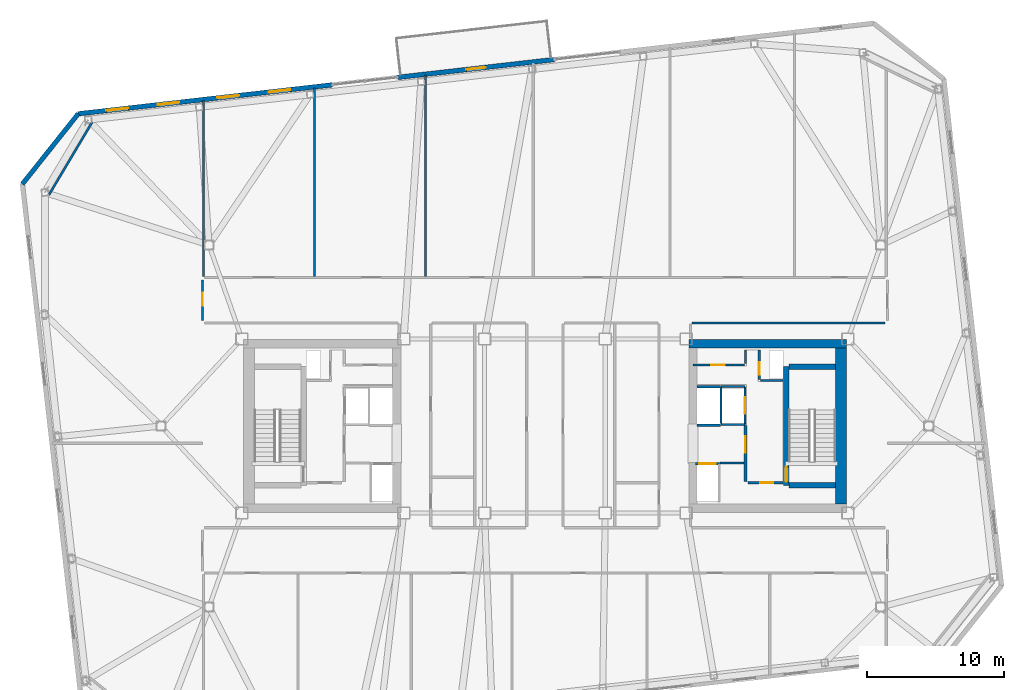
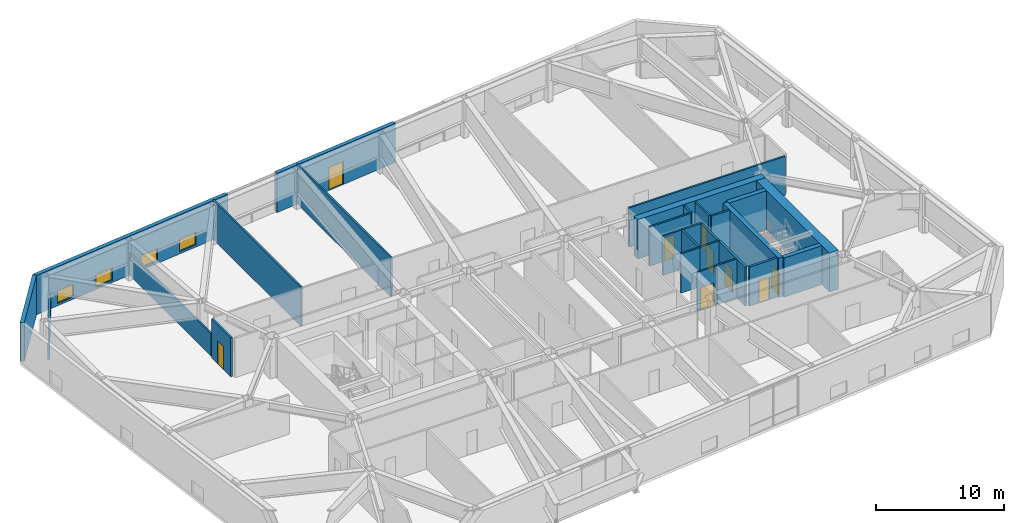
# One storey, part 14 of 20: 28 walls, 9 doors, 4 windows, 13 openings.
"""IFC4 building model written with IfcOpenShell, lengths in metres."""

from ifc_helpers import new_model, si_unit, direction, frame, frame_2d, origin, place, context, subcontext, project, spatial, rectangle, extrude, material, layer, layer_set, type_object, element, fill, save


model = new_model("IFC4")

# Units and contexts
model_context = context("Model", 3, precision=1e-05, world=origin(), true_north=direction((0.0, 1.0)))
body_context = subcontext(model_context, "Body", "Model", "MODEL_VIEW")
ifc_project = project(units=[si_unit("LENGTHUNIT", "METRE"), si_unit("AREAUNIT", "SQUARE_METRE"), si_unit("VOLUMEUNIT", "CUBIC_METRE"), si_unit("PLANEANGLEUNIT", "RADIAN"), si_unit("MASSUNIT", "GRAM", prefix="KILO")], contexts=[model_context])

# Site, building, storey
site_placement = place(None, origin())
site = spatial("IfcSite", under=ifc_project, at=site_placement, CompositionType="ELEMENT")
building_placement = place(site_placement, origin())
building = spatial("IfcBuilding", under=site, at=building_placement, Name="Tavrogorsk Clinical Tower", CompositionType="ELEMENT")
storey_placement = place(building_placement, frame((0.0, 0.0, 214.199951171875)))
storey = spatial("IfcBuildingStorey", under=building, at=storey_placement, Name="L49", CompositionType="ELEMENT", Elevation=214.199951171875)

# Wall, opening, door
ifc_material_1 = material(Name="Concrete B60", Category="concrete")
ifc_layer_1 = layer(ifc_material_1, 0.199951171875)
ifc_layer_set_1 = layer_set([ifc_layer_1], Name="Concrete B60")
wall_type_1 = type_object("IfcWallType", Name="CoreFireWall_200", PredefinedType="SOLIDWALL", material=ifc_layer_set_1)
wall_1_placement = place(storey_placement, frame((14.824951171875, -4.139892578125, 0.0), z_axis=(0.0, 0.0, 1.0), x_axis=(1.0, 0.0, 0.0)))
wall_1 = element("IfcWall", 1, at=wall_1_placement, inside=storey, type_object=wall_type_1, Name="L49 Core East South Core Room Fire Wall", PredefinedType="SOLIDWALL", context=body_context, shape_type="SweptSolid", body=[
    extrude(rectangle(XDim=2.554931640625, YDim=0.199951171875, at=frame_2d((1.27734375, 0.0))), origin(), (0.0, 0.0, 1.0), 3.739990234375),
])
opening_1_placement = place(wall_1_placement, frame((0.8798828125, 0.0, 0.0)))
opening_1 = element("IfcOpeningElement", 2, at=opening_1_placement, cuts=wall_1, Name="Opening ID-02", PredefinedType="OPENING", context=body_context, shape_type="SweptSolid", body=[
    extrude(rectangle(XDim=0.949951171875, YDim=2.199951171875, at=frame_2d((0.47509765625, 1.10009765625))), frame((0.0, 0.10986328125, 0.0), z_axis=(0.0, -1.0, 0.0), x_axis=(1.0, 0.0, 0.0)), (0.0, 0.0, 1.0), 0.219970703125),
])
ifc_material_2 = material(Name="Laminated timber leaf on aluminium frame", Category="wood")
door_type_1 = type_object("IfcDoorType", Name="InteriorDoor_ID02_950", OperationType="NOTDEFINED", PredefinedType="DOOR", material=ifc_material_2)
door_1_placement = place(opening_1_placement, origin())
door_1 = element("IfcDoor", 3, at=door_1_placement, inside=storey, type_object=door_type_1, Name="L49 Core East South Core Room Door", OperationType="SINGLE_SWING_RIGHT", OverallHeight=2.199951171875, OverallWidth=0.949951171875, PredefinedType="DOOR", context=body_context, shape_type="SweptSolid", body=[
    extrude(rectangle(XDim=0.949951171875, YDim=2.199951171875, at=frame_2d((0.47509765625, 1.10009765625))), frame((0.0, 0.02490234375, 0.0), z_axis=(0.0, -1.0, 0.0), x_axis=(1.0, 0.0, 0.0)), (0.0, 0.0, 1.0), 0.050048828125),
])
fill(opening_1, door_1)

wall_2_placement = place(storey_placement, frame((14.639892578125, -4.034912109375, 0.0), z_axis=(0.0, 0.0, 1.0), x_axis=(0.0, 1.0, 0.0)))
wall_2 = element("IfcWall", 4, at=wall_2_placement, inside=storey, type_object=wall_type_1, Name="L49 Core East Firefighting Lobby Fire Wall", PredefinedType="SOLIDWALL", context=body_context, shape_type="SweptSolid", body=[
    extrude(rectangle(XDim=4.074951171875, YDim=0.199951171875, at=frame_2d((2.03759765625, 0.0))), origin(), (0.0, 0.0, 1.0), 3.739990234375),
])
opening_2_placement = place(wall_2_placement, frame((2.090087890625, 0.0, 0.0)))
opening_2 = element("IfcOpeningElement", 5, at=opening_2_placement, cuts=wall_2, Name="Opening FD-01", PredefinedType="OPENING", context=body_context, shape_type="SweptSolid", body=[
    extrude(rectangle(XDim=1.199951171875, YDim=2.199951171875, at=frame_2d((0.60009765625, 1.10009765625))), frame((0.0, 0.10986328125, 0.0), z_axis=(0.0, -1.0, 0.0), x_axis=(1.0, 0.0, 0.0)), (0.0, 0.0, 1.0), 0.219970703125),
])
ifc_material_3 = material(Name="Galvanised steel fire-rated door assembly", Category="steel")
door_type_2 = type_object("IfcDoorType", Name="FireDoor_FD01_1200", OperationType="NOTDEFINED", PredefinedType="DOOR", material=ifc_material_3)
door_2_placement = place(opening_2_placement, origin())
door_2 = element("IfcDoor", 6, at=door_2_placement, inside=storey, type_object=door_type_2, Name="L49 Core East Firefighting Lobby Entry Door", OperationType="SINGLE_SWING_RIGHT", OverallHeight=2.199951171875, OverallWidth=1.199951171875, PredefinedType="DOOR", context=body_context, shape_type="SweptSolid", body=[
    extrude(rectangle(XDim=1.199951171875, YDim=2.199951171875, at=frame_2d((0.60009765625, 1.10009765625))), frame((0.0, 0.02490234375, 0.0), z_axis=(0.0, -1.0, 0.0), x_axis=(1.0, 0.0, 0.0)), (0.0, 0.0, 1.0), 0.050048828125),
])
fill(opening_2, door_2)

# Wall
ifc_material_4 = material(Name="Lightweight concrete blockwork B15", Category="masonry")
ifc_layer_2 = layer(ifc_material_4, 0.159912109375)
ifc_layer_set_2 = layer_set([ifc_layer_2], Name="Lightweight concrete blockwork B15")
wall_type_2 = type_object("IfcWallType", Name="PartitionWall_160", PredefinedType="PARTITIONING", material=ifc_layer_set_2)
wall_3_placement = place(storey_placement, frame((12.77490234375, -2.699951171875, 0.0), z_axis=(0.0, 0.0, 1.0), x_axis=(1.0, 0.0, 0.0)))
element("IfcWall", 7, at=wall_3_placement, inside=storey, type_object=wall_type_2, Name="L49 Core East Freed Low-Bank North Partition", PredefinedType="PARTITIONING", context=body_context, shape_type="SweptSolid", body=[
    extrude(rectangle(XDim=1.760009765625, YDim=0.159912109375, at=frame_2d((0.8798828125, 0.0))), origin(), (0.0, 0.0, 1.0), 3.739990234375),
])

# Wall, opening, door
wall_4_placement = place(storey_placement, frame((10.800048828125, 4.4599609375, 0.0), z_axis=(0.0, 0.0, 1.0), x_axis=(1.0, 0.0, 0.0)))
wall_4 = element("IfcWall", 8, at=wall_4_placement, inside=storey, type_object=wall_type_2, Name="L49 Core East Pneumatic Dispatch South Wall", PredefinedType="PARTITIONING", context=body_context, shape_type="SweptSolid", body=[
    extrude(rectangle(XDim=3.7548828125, YDim=0.159912109375, at=frame_2d((1.87744140625, 0.0))), origin(), (0.0, 0.0, 1.0), 3.739990234375),
])
opening_3_placement = place(wall_4_placement, frame((1.35009765625, 0.0, 0.0)))
opening_3 = element("IfcOpeningElement", 9, at=opening_3_placement, cuts=wall_4, Name="Opening ID-02", PredefinedType="OPENING", context=body_context, shape_type="SweptSolid", body=[
    extrude(rectangle(XDim=0.949951171875, YDim=2.199951171875, at=frame_2d((0.47509765625, 1.10009765625))), frame((0.0, 0.08984375, 0.0), z_axis=(0.0, -1.0, 0.0), x_axis=(1.0, 0.0, 0.0)), (0.0, 0.0, 1.0), 0.179931640625),
])
door_3_placement = place(opening_3_placement, origin())
door_3 = element("IfcDoor", 10, at=door_3_placement, inside=storey, type_object=door_type_1, Name="L49 Core East Pneumatic Dispatch Door", OperationType="SINGLE_SWING_LEFT", OverallHeight=2.199951171875, OverallWidth=0.949951171875, PredefinedType="DOOR", context=body_context, shape_type="SweptSolid", body=[
    extrude(rectangle(XDim=0.949951171875, YDim=2.199951171875, at=frame_2d((0.47509765625, 1.10009765625))), frame((0.0, 0.02490234375, 0.0), z_axis=(0.0, -1.0, 0.0), x_axis=(1.0, 0.0, 0.0)), (0.0, 0.0, 1.0), 0.050048828125),
])
fill(opening_3, door_3)

# Walls
wall_5_placement = place(storey_placement, frame((14.639892578125, 4.544921875, 0.0), z_axis=(0.0, 0.0, 1.0), x_axis=(0.0, 1.0, 0.0)))
element("IfcWall", 11, at=wall_5_placement, inside=storey, type_object=wall_type_2, Name="L49 Core East Pneumatic Dispatch East Wall", PredefinedType="PARTITIONING", context=body_context, shape_type="SweptSolid", body=[
    extrude(rectangle(XDim=1.01513671875, YDim=0.159912109375, at=frame_2d((0.507568359375, 0.0))), origin(), (0.0, 0.0, 1.0), 3.739990234375),
])
wall_6_placement = place(storey_placement, frame((-33.016357421875, 22.17138671875, 0.0), z_axis=(0.0, 0.0, 1.0), x_axis=(-0.511385266265, -0.859351563359, 0.0)))
element("IfcWall", 12, at=wall_6_placement, inside=storey, type_object=wall_type_2, Name="L49 Corner Exoskeleton Brace Furring Wall 3", PredefinedType="PARTITIONING", context=body_context, shape_type="SweptSolid", body=[
    extrude(rectangle(XDim=6.181884765625, YDim=0.159912109375, at=frame_2d((3.0908203125, 0.0))), origin(), (0.0, 0.0, 1.0), 1.53515625),
])

# Wall, opening, door
wall_7_placement = place(storey_placement, frame((-24.97998046875, 7.68505859375, 0.0), z_axis=(0.0, 0.0, 1.0), x_axis=(0.0, 1.0, 0.0)))
wall_7 = element("IfcWall", 13, at=wall_7_placement, inside=storey, type_object=wall_type_2, Name="L49 Corridor Partition 06", PredefinedType="PARTITIONING", context=body_context, shape_type="SweptSolid", body=[
    extrude(rectangle(XDim=2.97998046875, YDim=0.159912109375, at=frame_2d((1.489990234375, 0.0))), origin(), (0.0, 0.0, 1.0), 3.739990234375),
])
opening_4_placement = place(wall_7_placement, frame((1.10009765625, 0.0, 0.0)))
opening_4 = element("IfcOpeningElement", 14, at=opening_4_placement, cuts=wall_7, Name="Opening ID-02", PredefinedType="OPENING", context=body_context, shape_type="SweptSolid", body=[
    extrude(rectangle(XDim=0.949951171875, YDim=2.199951171875, at=frame_2d((0.47509765625, 1.10009765625))), frame((0.0, 0.08984375, 0.0), z_axis=(0.0, -1.0, 0.0), x_axis=(1.0, 0.0, 0.0)), (0.0, 0.0, 1.0), 0.179931640625),
])
door_4_placement = place(opening_4_placement, origin())
door_4 = element("IfcDoor", 15, at=door_4_placement, inside=storey, type_object=door_type_1, Name="L49 W Rehabilitation Therapy Suite 2 Door", OperationType="SINGLE_SWING_RIGHT", OverallHeight=2.199951171875, OverallWidth=0.949951171875, PredefinedType="DOOR", context=body_context, shape_type="SweptSolid", body=[
    extrude(rectangle(XDim=0.949951171875, YDim=2.199951171875, at=frame_2d((0.47509765625, 1.10009765625))), frame((0.0, 0.02490234375, 0.0), z_axis=(0.0, -1.0, 0.0), x_axis=(1.0, 0.0, 0.0)), (0.0, 0.0, 1.0), 0.050048828125),
])
fill(opening_4, door_4)

# Walls
wall_8_placement = place(storey_placement, frame((24.81494140625, 7.52001953125, 0.0), z_axis=(0.0, 0.0, 1.0), x_axis=(-1.0, 0.0, 0.0)))
element("IfcWall", 16, at=wall_8_placement, inside=storey, type_object=wall_type_2, Name="L49 Corridor Partition 09", PredefinedType="PARTITIONING", context=body_context, shape_type="SweptSolid", body=[
    extrude(rectangle(XDim=14.099853515625, YDim=0.159912109375, at=frame_2d((7.0498046875, 0.0))), origin(), (0.0, 0.0, 1.0), 3.739990234375),
])
wall_9_placement = place(storey_placement, frame((-24.89990234375, 10.9150390625, 0.0), z_axis=(0.0, 0.0, 1.0), x_axis=(0.0, 1.0, 0.0)))
element("IfcWall", 17, at=wall_9_placement, inside=storey, type_object=wall_type_2, Name="L49 NW Wing Closure Partition", PredefinedType="PARTITIONING", context=body_context, shape_type="SweptSolid", body=[
    extrude(rectangle(XDim=12.831298828125, YDim=0.159912109375, at=frame_2d((6.41552734375, 0.0))), origin(), (0.0, 0.0, 1.0), 2.135009765625),
])
wall_10_placement = place(storey_placement, frame((-16.800048828125, 10.9150390625, 0.0), z_axis=(0.0, 0.0, 1.0), x_axis=(0.0, 1.0, 0.0)))
element("IfcWall", 18, at=wall_10_placement, inside=storey, type_object=wall_type_2, Name="L49 North Room Partition 1", PredefinedType="PARTITIONING", context=body_context, shape_type="SweptSolid", body=[
    extrude(rectangle(XDim=13.754150390625, YDim=0.159912109375, at=frame_2d((6.876953125, 0.0))), origin(), (0.0, 0.0, 1.0), 3.739990234375),
])
wall_11_placement = place(storey_placement, frame((-8.699951171875, 10.9150390625, 0.0), z_axis=(0.0, 0.0, 1.0), x_axis=(0.0, 1.0, 0.0)))
element("IfcWall", 19, at=wall_11_placement, inside=storey, type_object=wall_type_2, Name="L49 North Room Partition 2", PredefinedType="PARTITIONING", context=body_context, shape_type="SweptSolid", body=[
    extrude(rectangle(XDim=14.677001953125, YDim=0.159912109375, at=frame_2d((7.33837890625, 0.0))), origin(), (0.0, 0.0, 1.0), 3.739990234375),
])

# Wall, opening, door
ifc_material_5 = material(Name="Precast concrete B45 with limestone cladding", Category="masonry")
ifc_layer_3 = layer(ifc_material_5, 0.340087890625)
ifc_layer_set_3 = layer_set([ifc_layer_3], Name="Precast concrete B45 with limestone cladding")
wall_type_3 = type_object("IfcWallType", Name="PrecastLimestoneWall_340", PredefinedType="STANDARD", material=ifc_layer_set_3)
wall_12_placement = place(storey_placement, frame((0.681884765625, 26.7314453125, 0.0), z_axis=(0.0, 0.0, 1.0), x_axis=(-0.993571968199, -0.113202226169, 0.0)))
wall_12 = element("IfcWall", 20, at=wall_12_placement, inside=storey, type_object=wall_type_3, Name="L49 N Limestone Facade Wall 2", PredefinedType="STANDARD", context=body_context, shape_type="SweptSolid", body=[
    extrude(rectangle(XDim=11.497314453125, YDim=0.340087890625, at=frame_2d((5.74853515625, 0.0))), origin(), (0.0, 0.0, 1.0), 3.739990234375),
])
opening_5_placement = place(wall_12_placement, frame((5.048583984375, 0.0, 0.0)))
opening_5 = element("IfcOpeningElement", 21, at=opening_5_placement, cuts=wall_12, Name="Opening ED-03", PredefinedType="OPENING", context=body_context, shape_type="SweptSolid", body=[
    extrude(rectangle(XDim=1.39990234375, YDim=2.199951171875, at=frame_2d((0.699951171875, 1.10009765625))), frame((0.0, 0.179931640625, 0.0), z_axis=(0.0, -1.0, 0.0), x_axis=(1.0, 0.0, 0.0)), (0.0, 0.0, 1.0), 0.360107421875),
])
ifc_material_6 = material(Name="Thermally broken aluminium and laminated safety glass", Category="aluminium")
door_type_3 = type_object("IfcDoorType", Name="TerraceGlassDoor_ED03_1400", OperationType="DOUBLE_SWING_LEFT", PredefinedType="DOOR", material=ifc_material_6)
door_5_placement = place(opening_5_placement, origin())
door_5 = element("IfcDoor", 22, at=door_5_placement, inside=storey, type_object=door_type_3, Name="L49 Spiralling Recuperation Terrace Door ED-03", OperationType="DOUBLE_SWING_LEFT", OverallHeight=2.199951171875, OverallWidth=1.39990234375, PredefinedType="DOOR", context=body_context, shape_type="SweptSolid", body=[
    extrude(rectangle(XDim=1.39990234375, YDim=2.199951171875, at=frame_2d((0.699951171875, 1.10009765625))), frame((0.0, 0.02490234375, 0.0), z_axis=(0.0, -1.0, 0.0), x_axis=(1.0, 0.0, 0.0)), (0.0, 0.0, 1.0), 0.050048828125),
])
fill(opening_5, door_5)

# Wall, openings, windows
wall_13_placement = place(storey_placement, frame((-15.510498046875, 24.886474609375, 0.0), z_axis=(0.0, 0.0, 1.0), x_axis=(-0.993572271362, -0.113199565282, 0.0)))
wall_13 = element("IfcWall", 23, at=wall_13_placement, inside=storey, type_object=wall_type_3, Name="L49 N Limestone Facade Wall 3", PredefinedType="STANDARD", context=body_context, shape_type="SweptSolid", body=[
    extrude(rectangle(XDim=18.6513671875, YDim=0.340087890625, at=frame_2d((9.32568359375, 0.0))), origin(), (0.0, 0.0, 1.0), 3.739990234375),
])
opening_6_placement = place(wall_13_placement, frame((14.97119140625, 0.0, 0.219970703125)))
opening_6 = element("IfcOpeningElement", 24, at=opening_6_placement, cuts=wall_13, Name="Opening WN-09", PredefinedType="OPENING", context=body_context, shape_type="SweptSolid", body=[
    extrude(rectangle(XDim=1.60009765625, YDim=1.199951171875, at=frame_2d((0.800048828125, 0.60009765625))), frame((0.0, 0.179931640625, 0.0), z_axis=(0.0, -1.0, 0.0), x_axis=(1.0, 0.0, 0.0)), (0.0, 0.0, 1.0), 0.360107421875),
])
opening_7_placement = place(wall_13_placement, frame((11.222900390625, 0.0, 0.219970703125)))
opening_7 = element("IfcOpeningElement", 25, at=opening_7_placement, cuts=wall_13, Name="Opening WN-09", PredefinedType="OPENING", context=body_context, shape_type="SweptSolid", body=[
    extrude(rectangle(XDim=1.60009765625, YDim=1.199951171875, at=frame_2d((0.800048828125, 0.60009765625))), frame((0.0, 0.179931640625, 0.0), z_axis=(0.0, -1.0, 0.0), x_axis=(1.0, 0.0, 0.0)), (0.0, 0.0, 1.0), 0.360107421875),
])
opening_8_placement = place(wall_13_placement, frame((6.82275390625, 0.0, 0.219970703125)))
opening_8 = element("IfcOpeningElement", 26, at=opening_8_placement, cuts=wall_13, Name="Opening WN-09", PredefinedType="OPENING", context=body_context, shape_type="SweptSolid", body=[
    extrude(rectangle(XDim=1.60009765625, YDim=1.199951171875, at=frame_2d((0.800048828125, 0.60009765625))), frame((0.0, 0.179931640625, 0.0), z_axis=(0.0, -1.0, 0.0), x_axis=(1.0, 0.0, 0.0)), (0.0, 0.0, 1.0), 0.360107421875),
])
opening_9_placement = place(wall_13_placement, frame((3.074462890625, 0.0, 0.219970703125)))
opening_9 = element("IfcOpeningElement", 27, at=opening_9_placement, cuts=wall_13, Name="Opening WN-09", PredefinedType="OPENING", context=body_context, shape_type="SweptSolid", body=[
    extrude(rectangle(XDim=1.60009765625, YDim=1.199951171875, at=frame_2d((0.800048828125, 0.60009765625))), frame((0.0, 0.179931640625, 0.0), z_axis=(0.0, -1.0, 0.0), x_axis=(1.0, 0.0, 0.0)), (0.0, 0.0, 1.0), 0.360107421875),
])
ifc_material_7 = material(Name="Thermally broken aluminium frame and triple IGU", Category="aluminium")
window_type = type_object("IfcWindowType", Name="LowHeadTransWin_1600x1200", PartitioningType="DOUBLE_PANEL_VERTICAL", PredefinedType="WINDOW", material=ifc_material_7)
window_1_placement = place(opening_6_placement, origin())
window_1 = element("IfcWindow", 28, at=window_1_placement, inside=storey, type_object=window_type, Name="L49 N Chicago Window 01", OverallHeight=1.199951171875, OverallWidth=1.60009765625, PartitioningType="SINGLE_PANEL", PredefinedType="WINDOW", context=body_context, shape_type="SweptSolid", body=[
    extrude(rectangle(XDim=1.60009765625, YDim=1.199951171875, at=frame_2d((0.800048828125, 0.60009765625))), frame((0.0, 0.030029296875, 0.0), z_axis=(0.0, -1.0, 0.0), x_axis=(1.0, 0.0, 0.0)), (0.0, 0.0, 1.0), 0.06005859375),
])
fill(opening_6, window_1)
window_2_placement = place(opening_7_placement, origin())
window_2 = element("IfcWindow", 29, at=window_2_placement, inside=storey, type_object=window_type, Name="L49 N Chicago Window 02", OverallHeight=1.199951171875, OverallWidth=1.60009765625, PartitioningType="SINGLE_PANEL", PredefinedType="WINDOW", context=body_context, shape_type="SweptSolid", body=[
    extrude(rectangle(XDim=1.60009765625, YDim=1.199951171875, at=frame_2d((0.800048828125, 0.60009765625))), frame((0.0, 0.030029296875, 0.0), z_axis=(0.0, -1.0, 0.0), x_axis=(1.0, 0.0, 0.0)), (0.0, 0.0, 1.0), 0.06005859375),
])
fill(opening_7, window_2)
window_3_placement = place(opening_8_placement, origin())
window_3 = element("IfcWindow", 30, at=window_3_placement, inside=storey, type_object=window_type, Name="L49 N Chicago Window 03", OverallHeight=1.199951171875, OverallWidth=1.60009765625, PartitioningType="SINGLE_PANEL", PredefinedType="WINDOW", context=body_context, shape_type="SweptSolid", body=[
    extrude(rectangle(XDim=1.60009765625, YDim=1.199951171875, at=frame_2d((0.800048828125, 0.60009765625))), frame((0.0, 0.030029296875, 0.0), z_axis=(0.0, -1.0, 0.0), x_axis=(1.0, 0.0, 0.0)), (0.0, 0.0, 1.0), 0.06005859375),
])
fill(opening_8, window_3)
window_4_placement = place(opening_9_placement, origin())
window_4 = element("IfcWindow", 31, at=window_4_placement, inside=storey, type_object=window_type, Name="L49 N Chicago Window 04", OverallHeight=1.199951171875, OverallWidth=1.60009765625, PartitioningType="SINGLE_PANEL", PredefinedType="WINDOW", context=body_context, shape_type="SweptSolid", body=[
    extrude(rectangle(XDim=1.60009765625, YDim=1.199951171875, at=frame_2d((0.800048828125, 0.60009765625))), frame((0.0, 0.030029296875, 0.0), z_axis=(0.0, -1.0, 0.0), x_axis=(1.0, 0.0, 0.0)), (0.0, 0.0, 1.0), 0.06005859375),
])
fill(opening_9, window_4)

# Wall
wall_14_placement = place(storey_placement, frame((-34.0419921875, 22.775146484375, 0.0), z_axis=(0.0, 0.0, 1.0), x_axis=(-0.62252823689, -0.78259733853, 0.0)))
element("IfcWall", 32, at=wall_14_placement, inside=storey, type_object=wall_type_3, Name="L49 Chamfered Corner Wall 3", PredefinedType="STANDARD", context=body_context, shape_type="SweptSolid", body=[
    extrude(rectangle(XDim=6.5478515625, YDim=0.340087890625, at=frame_2d((3.27392578125, 0.0))), origin(), (0.0, 0.0, 1.0), 3.739990234375),
])

# Wall, opening, door
ifc_material_8 = material(Name="Lightweight concrete blockwork B25", Category="masonry")
ifc_layer_4 = layer(ifc_material_8, 0.159912109375)
ifc_layer_set_4 = layer_set([ifc_layer_4], Name="Lightweight concrete blockwork B25")
wall_type_4 = type_object("IfcWallType", Name="ShaftWall_160", PredefinedType="PARTITIONING", material=ifc_layer_set_4)
wall_15_placement = place(storey_placement, frame((14.60009765625, 0.1201171875, 0.0), z_axis=(0.0, 0.0, 1.0), x_axis=(0.0, 1.0, 0.0)))
wall_15 = element("IfcWall", 33, at=wall_15_placement, inside=storey, type_object=wall_type_4, Name="L49 FFL-E Firefighting Lift Front Wall", PredefinedType="PARTITIONING", context=body_context, shape_type="SweptSolid", body=[
    extrude(rectangle(XDim=2.739990234375, YDim=0.159912109375, at=frame_2d((1.3701171875, 0.0))), origin(), (0.0, 0.0, 1.0), 3.739990234375),
])
opening_10_placement = place(wall_15_placement, frame((0.77001953125, 0.0, 0.0)))
opening_10 = element("IfcOpeningElement", 34, at=opening_10_placement, cuts=wall_15, Name="Opening LD", PredefinedType="OPENING", context=body_context, shape_type="SweptSolid", body=[
    extrude(rectangle(XDim=1.199951171875, YDim=2.199951171875, at=frame_2d((0.60009765625, 1.10009765625))), frame((0.0, 0.08984375, 0.0), z_axis=(0.0, -1.0, 0.0), x_axis=(1.0, 0.0, 0.0)), (0.0, 0.0, 1.0), 0.179931640625),
])
ifc_material_9 = material(Name="Brushed stainless steel AISI 304 sliding doors", Category="steel")
door_type_4 = type_object("IfcDoorType", Name="LiftLandingDoor_LD_1200", OperationType="SLIDING_TO_LEFT", PredefinedType="DOOR", material=ifc_material_9)
door_6_placement = place(opening_10_placement, origin())
door_6 = element("IfcDoor", 35, at=door_6_placement, inside=storey, type_object=door_type_4, Name="L49 FFL-E Sliding Lift Landing Door", OperationType="SLIDING_TO_LEFT", OverallHeight=2.199951171875, OverallWidth=1.199951171875, PredefinedType="DOOR", context=body_context, shape_type="SweptSolid", body=[
    extrude(rectangle(XDim=1.199951171875, YDim=2.199951171875, at=frame_2d((0.60009765625, 1.10009765625))), frame((0.0, 0.02490234375, 0.0), z_axis=(0.0, -1.0, 0.0), x_axis=(1.0, 0.0, 0.0)), (0.0, 0.0, 1.0), 0.050048828125),
])
fill(opening_10, door_6)

# Walls
for number, where, z_axis, x_axis, name in (
    (36, (12.840087890625, 0.10009765625, 0.0), (0.0, 0.0, 1.0), (1.0, 0.0, 0.0), "L49 FFL-E Shaft South Wall"),
    (37, (12.840087890625, 2.8798828125, 0.0), (0.0, 0.0, 1.0), (1.0, 0.0, 0.0), "L49 FFL-E Shaft North Wall"),
):
    element("IfcWall", number, at=place(storey_placement, frame(where, z_axis=z_axis, x_axis=x_axis)), inside=storey, type_object=wall_type_4, Name=name, PredefinedType="PARTITIONING", context=body_context, shape_type="SweptSolid", body=[
        extrude(rectangle(XDim=1.760009765625, YDim=0.159912109375, at=frame_2d((0.8798828125, 0.0))), origin(), (0.0, 0.0, 1.0), 3.739990234375),
    ])
wall_16_placement = place(storey_placement, frame((12.840087890625, 0.179931640625, 0.0), z_axis=(0.0, 0.0, 1.0), x_axis=(0.0, 1.0, 0.0)))
element("IfcWall", 38, at=wall_16_placement, inside=storey, type_object=wall_type_4, Name="L49 FFL-E Shaft Back Wall", PredefinedType="PARTITIONING", context=body_context, shape_type="SweptSolid", body=[
    extrude(rectangle(XDim=2.6201171875, YDim=0.159912109375, at=frame_2d((1.31005859375, 0.0))), origin(), (0.0, 0.0, 1.0), 3.739990234375),
])

# Wall, opening, door
wall_17_placement = place(storey_placement, frame((10.969970703125, -2.75, 0.0), z_axis=(0.0, 0.0, 1.0), x_axis=(1.0, 0.0, 0.0)))
wall_17 = element("IfcWall", 39, at=wall_17_placement, inside=storey, type_object=wall_type_4, Name="L49 LP-M2 Lift Shaft Portal Wall", PredefinedType="PARTITIONING", context=body_context, shape_type="SweptSolid", body=[
    extrude(rectangle(XDim=1.760009765625, YDim=0.159912109375, at=frame_2d((0.8798828125, 0.0))), origin(), (0.0, 0.0, 1.0), 3.739990234375),
])
opening_11_placement = place(wall_17_placement, frame((0.280029296875, 0.0, 0.0)))
opening_11 = element("IfcOpeningElement", 40, at=opening_11_placement, cuts=wall_17, Name="Opening LD", PredefinedType="OPENING", context=body_context, shape_type="SweptSolid", body=[
    extrude(rectangle(XDim=1.199951171875, YDim=2.199951171875, at=frame_2d((0.60009765625, 1.10009765625))), frame((0.0, 0.08984375, 0.0), z_axis=(0.0, -1.0, 0.0), x_axis=(1.0, 0.0, 0.0)), (0.0, 0.0, 1.0), 0.179931640625),
])
door_7_placement = place(opening_11_placement, origin())
door_7 = element("IfcDoor", 41, at=door_7_placement, inside=storey, type_object=door_type_4, Name="L49 LP-M2 Sliding Lift Landing Door", OperationType="SLIDING_TO_LEFT", OverallHeight=2.199951171875, OverallWidth=1.199951171875, PredefinedType="DOOR", context=body_context, shape_type="SweptSolid", body=[
    extrude(rectangle(XDim=1.199951171875, YDim=2.199951171875, at=frame_2d((0.60009765625, 1.10009765625))), frame((0.0, 0.02490234375, 0.0), z_axis=(0.0, -1.0, 0.0), x_axis=(1.0, 0.0, 0.0)), (0.0, 0.0, 1.0), 0.050048828125),
])
fill(opening_11, door_7)

# Walls
for number, where, z_axis, x_axis, name in (
    (42, (11.10009765625, 0.06005859375, 0.0), (0.0, 0.0, 1.0), (1.0, 0.0, 0.0), "L49 LP-H2 High-Zone Lift Portal Wall"),
    (43, (11.10009765625, 2.860107421875, 0.0), (0.0, 0.0, 1.0), (1.0, 0.0, 0.0), "L49 LP-H2 High-Zone Lift Rear Wall"),
):
    element("IfcWall", number, at=place(storey_placement, frame(where, z_axis=z_axis, x_axis=x_axis)), inside=storey, type_object=wall_type_4, Name=name, PredefinedType="PARTITIONING", context=body_context, shape_type="SweptSolid", body=[
        extrude(rectangle(XDim=1.719970703125, YDim=0.159912109375, at=frame_2d((0.85986328125, 0.0))), origin(), (0.0, 0.0, 1.0), 3.739990234375),
    ])

# Wall, opening, door
wall_18_placement = place(storey_placement, frame((15.639892578125, 3.405029296875, 0.0), z_axis=(0.0, 0.0, 1.0), x_axis=(0.0, 1.0, 0.0)))
wall_18 = element("IfcWall", 44, at=wall_18_placement, inside=storey, type_object=wall_type_4, Name="L49 Core East Riser West Wall", PredefinedType="PARTITIONING", context=body_context, shape_type="SweptSolid", body=[
    extrude(rectangle(XDim=2.155029296875, YDim=0.159912109375, at=frame_2d((1.07763671875, 0.0))), origin(), (0.0, 0.0, 1.0), 3.739990234375),
])
opening_12_placement = place(wall_18_placement, frame((0.35009765625, 0.0, 0.0)))
opening_12 = element("IfcOpeningElement", 45, at=opening_12_placement, cuts=wall_18, Name="Opening FD-02", PredefinedType="OPENING", context=body_context, shape_type="SweptSolid", body=[
    extrude(rectangle(XDim=0.89990234375, YDim=2.199951171875, at=frame_2d((0.449951171875, 1.10009765625))), frame((0.0, 0.08984375, 0.0), z_axis=(0.0, -1.0, 0.0), x_axis=(1.0, 0.0, 0.0)), (0.0, 0.0, 1.0), 0.179931640625),
])
ifc_material_10 = material(Name="Galvanised steel fire-rated door assembly", Category="steel")
door_type_5 = type_object("IfcDoorType", Name="FireDoor_FD02_900", OperationType="NOTDEFINED", PredefinedType="DOOR", material=ifc_material_10)
door_8_placement = place(opening_12_placement, origin())
door_8 = element("IfcDoor", 46, at=door_8_placement, inside=storey, type_object=door_type_5, Name="L49 Core East Electrical Riser Access Door", OperationType="SINGLE_SWING_LEFT", OverallHeight=2.199951171875, OverallWidth=0.89990234375, PredefinedType="DOOR", context=body_context, shape_type="SweptSolid", body=[
    extrude(rectangle(XDim=0.89990234375, YDim=2.199951171875, at=frame_2d((0.449951171875, 1.10009765625))), frame((0.0, 0.02490234375, 0.0), z_axis=(0.0, -1.0, 0.0), x_axis=(1.0, 0.0, 0.0)), (0.0, 0.0, 1.0), 0.050048828125),
])
fill(opening_12, door_8)

# Wall
wall_19_placement = place(storey_placement, frame((15.72509765625, 3.320068359375, 0.0), z_axis=(0.0, 0.0, 1.0), x_axis=(1.0, 0.0, 0.0)))
element("IfcWall", 47, at=wall_19_placement, inside=storey, type_object=wall_type_4, Name="L49 Core East Riser South Wall", PredefinedType="PARTITIONING", context=body_context, shape_type="SweptSolid", body=[
    extrude(rectangle(XDim=1.65478515625, YDim=0.159912109375, at=frame_2d((0.827392578125, 0.0))), origin(), (0.0, 0.0, 1.0), 3.739990234375),
])

# Wall, opening, door
ifc_material_11 = material(Name="Concrete B80", Category="concrete")
ifc_layer_5 = layer(ifc_material_11, 0.39990234375)
ifc_layer_set_5 = layer_set([ifc_layer_5], Name="Concrete B80")
wall_type_5 = type_object("IfcWallType", Name="ShearWall_400", PredefinedType="SHEAR", material=ifc_layer_set_5)
wall_20_placement = place(storey_placement, frame((17.60009765625, -4.324951171875, 0.0), z_axis=(0.0, 0.0, 1.0), x_axis=(0.0, 1.0, 0.0)))
wall_20 = element("IfcWall", 48, at=wall_20_placement, inside=storey, type_object=wall_type_5, Name="L49 Core East Stair Shaft Inner Shear Wall", PredefinedType="SHEAR", context=body_context, shape_type="SweptSolid", body=[
    extrude(rectangle(XDim=8.64990234375, YDim=0.39990234375, at=frame_2d((4.324951171875, 0.0))), origin(), (0.0, 0.0, 1.0), 3.739990234375),
])
opening_13_placement = place(wall_20_placement, frame((0.25, 0.0, 0.0)))
opening_13 = element("IfcOpeningElement", 49, at=opening_13_placement, cuts=wall_20, Name="Opening SD-01", PredefinedType="OPENING", context=body_context, shape_type="SweptSolid", body=[
    extrude(rectangle(XDim=1.10009765625, YDim=2.199951171875, at=frame_2d((0.550048828125, 1.10009765625))), frame((0.0, 0.2099609375, 0.0), z_axis=(0.0, -1.0, 0.0), x_axis=(1.0, 0.0, 0.0)), (0.0, 0.0, 1.0), 0.419921875),
])
ifc_material_12 = material(Name="Galvanised steel smoke-tight fire door assembly", Category="steel")
door_type_6 = type_object("IfcDoorType", Name="StairFireDoor_SD01_1100", OperationType="NOTDEFINED", PredefinedType="DOOR", material=ifc_material_12)
door_9_placement = place(opening_13_placement, origin())
door_9 = element("IfcDoor", 50, at=door_9_placement, inside=storey, type_object=door_type_6, Name="L49 ST-E Exit Stair Door", OperationType="SINGLE_SWING_LEFT", OverallHeight=2.199951171875, OverallWidth=1.10009765625, PredefinedType="DOOR", context=body_context, shape_type="SweptSolid", body=[
    extrude(rectangle(XDim=1.10009765625, YDim=2.199951171875, at=frame_2d((0.550048828125, 1.10009765625))), frame((0.0, 0.02490234375, 0.0), z_axis=(0.0, -1.0, 0.0), x_axis=(1.0, 0.0, 0.0)), (0.0, 0.0, 1.0), 0.050048828125),
])
fill(opening_13, door_9)

# Walls
for number, where, z_axis, x_axis, name in (
    (51, (17.800048828125, -4.324951171875, 0.0), (0.0, 0.0, 1.0), (1.0, 0.0, 0.0), "L49 Core East Stair Shaft South Shear Wall"),
    (52, (17.800048828125, 4.324951171875, 0.0), (0.0, 0.0, 1.0), (1.0, 0.0, 0.0), "L49 Core East Stair Shaft North Shear Wall"),
):
    element("IfcWall", number, at=place(storey_placement, frame(where, z_axis=z_axis, x_axis=x_axis)), inside=storey, type_object=wall_type_5, Name=name, PredefinedType="SHEAR", context=body_context, shape_type="SweptSolid", body=[
        extrude(rectangle(XDim=3.39990234375, YDim=0.39990234375, at=frame_2d((1.699951171875, 0.0))), origin(), (0.0, 0.0, 1.0), 3.739990234375),
    ])
ifc_material_13 = material(Name="Concrete B80", Category="concrete")
ifc_layer_6 = layer(ifc_material_13, 0.60009765625)
ifc_layer_set_6 = layer_set([ifc_layer_6], Name="Concrete B80")
wall_type_6 = type_object("IfcWallType", Name="ShearWall_600", PredefinedType="SHEAR", material=ifc_layer_set_6)
wall_21_placement = place(storey_placement, frame((10.5, 6.0, 0.0), z_axis=(0.0, 0.0, 1.0), x_axis=(1.0, 0.0, 0.0)))
element("IfcWall", 53, at=wall_21_placement, inside=storey, type_object=wall_type_6, Name="L49 Core East North Shear Wall", PredefinedType="SHEAR", context=body_context, shape_type="SweptSolid", body=[
    extrude(rectangle(XDim=11.5, YDim=0.60009765625, at=frame_2d((5.75, 0.0))), origin(), (0.0, 0.0, 1.0), 3.739990234375),
])
ifc_material_14 = material(Name="Concrete B80", Category="concrete")
ifc_layer_7 = layer(ifc_material_14, 0.800048828125)
ifc_layer_set_7 = layer_set([ifc_layer_7], Name="Concrete B80")
wall_type_7 = type_object("IfcWallType", Name="ShearWall_800", PredefinedType="SHEAR", material=ifc_layer_set_7)
wall_22_placement = place(storey_placement, frame((21.60009765625, -5.699951171875, 0.0), z_axis=(0.0, 0.0, 1.0), x_axis=(0.0, 1.0, 0.0)))
element("IfcWall", 54, at=wall_22_placement, inside=storey, type_object=wall_type_7, Name="L49 Core East End Shear Wall", PredefinedType="SHEAR", context=body_context, shape_type="SweptSolid", body=[
    extrude(rectangle(XDim=11.39990234375, YDim=0.800048828125, at=frame_2d((5.699951171875, 0.0))), origin(), (0.0, 0.0, 1.0), 3.739990234375),
])

save(model, "model.ifc")
